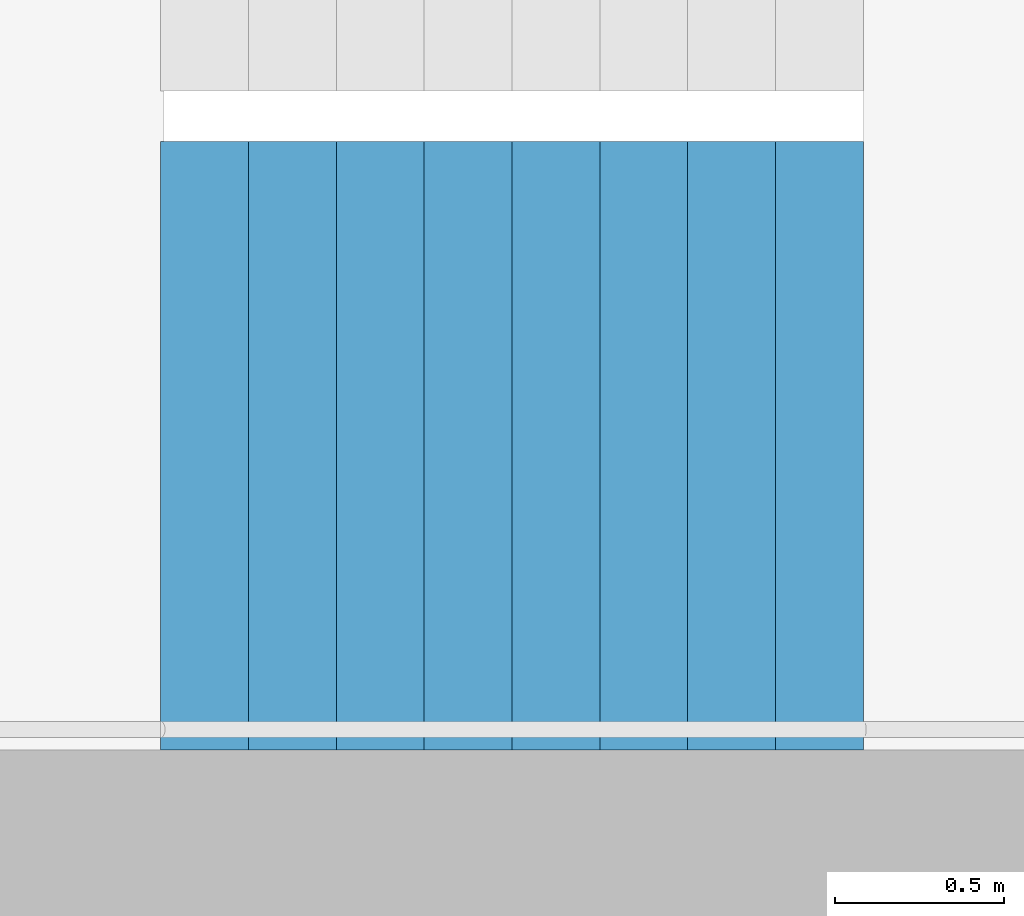
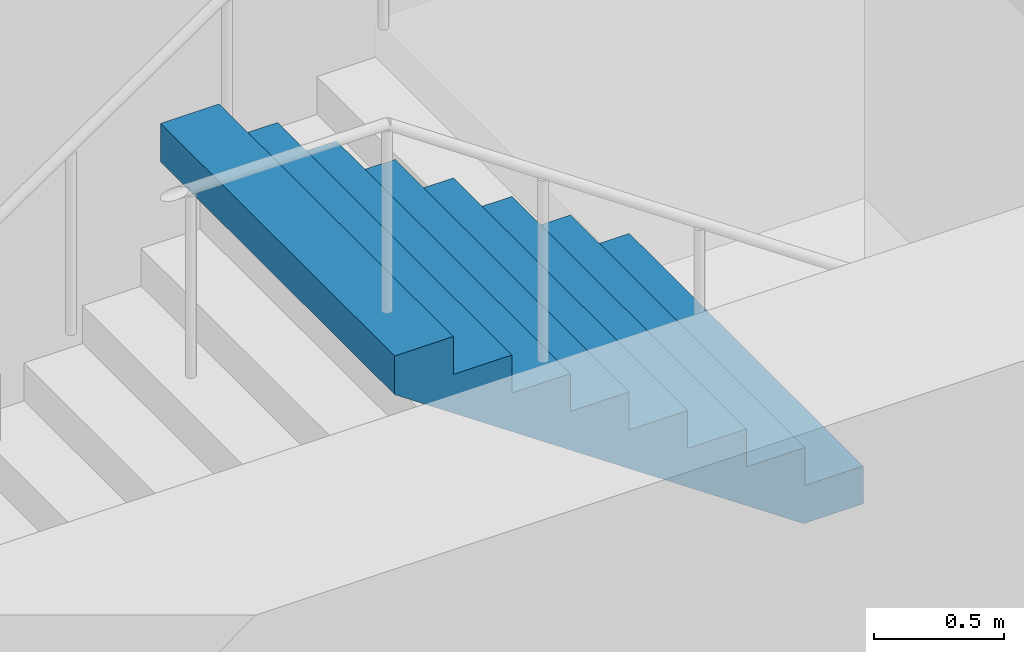
# One storey, part 20 of 28: 1 stair flight, 1 element without a shape of its own.
"""IFC4 building model written with IfcOpenShell, lengths in metres."""

from ifc_helpers import new_model, si_unit, direction, frame, origin, place, context, subcontext, project, spatial, triangles, material, type_object, element, aggregate, save


model = new_model("IFC4")

# Units and contexts
model_context = context("Model", 3, precision=1e-05, world=origin(), true_north=direction((0.0, 1.0)))
body_context = subcontext(model_context, "Body", "Model", "MODEL_VIEW")
ifc_project = project(units=[si_unit("LENGTHUNIT", "METRE"), si_unit("AREAUNIT", "SQUARE_METRE"), si_unit("VOLUMEUNIT", "CUBIC_METRE"), si_unit("PLANEANGLEUNIT", "RADIAN"), si_unit("MASSUNIT", "GRAM", prefix="KILO")], contexts=[model_context])

# Site, building, storey
site_placement = place(None, origin())
site = spatial("IfcSite", under=ifc_project, at=site_placement, CompositionType="ELEMENT")
building_placement = place(site_placement, origin())
building = spatial("IfcBuilding", under=site, at=building_placement, Name="Hakoniwa Tower and Hamabe Station Hall", CompositionType="ELEMENT")
storey_placement = place(building_placement, frame((0.0, 0.0, 193.0)))
storey = spatial("IfcBuildingStorey", under=building, at=storey_placement, Name="L54", CompositionType="ELEMENT", Elevation=193.0)

# Stair, stair flight
ifc_material_1 = material(Name="Concrete C40", Category="concrete")
stair_type = type_object("IfcStairType", Name="ESCAPE STAIR 1800", PredefinedType="HALF_TURN_STAIR", material=ifc_material_1)
stair_placement = place(storey_placement, origin())
stair = element("IfcStair", 1, at=stair_placement, inside=storey, type_object=stair_type, Name="Escape stair ST-4 L54", PredefinedType="HALF_TURN_STAIR")
ifc_material_2 = material(Name="Concrete C40", Category="concrete")
stair_flight_type = type_object("IfcStairFlightType", Name="STAIR FLIGHT 1800", PredefinedType="STRAIGHT", material=ifc_material_2)
stair_flight_placement = place(storey_placement, frame((25.47998046875, -6.60009765625, 1.60009765625), z_axis=(0.0, 0.0, 1.0), x_axis=(-1.0, 0.0, 0.0)))
stair_flight = element("IfcStairFlight", 2, at=stair_flight_placement, type_object=stair_flight_type, Name="ST-4 flight 2", NumberOfRisers=9, NumberOfTreads=8, PredefinedType="STRAIGHT", RiserHeight=0.177777778, TreadLength=0.26, context=body_context, shape_type="Tessellation", body=[
    triangles([(0.0, 0.89990234375, 0.0), (0.260009765625, 0.89990234375, 0.0), (0.265625, 0.89990234375, 0.0), (0.52001953125, 0.89990234375, 0.174072265625), (0.780029296875, 0.89990234375, 0.351806640625), (1.0400390625, 0.89990234375, 0.529541015625), (1.300048828125, 0.89990234375, 0.707275390625), (1.56005859375, 0.89990234375, 0.885009765625), (1.820068359375, 0.89990234375, 1.062744140625), (2.080078125, 0.89990234375, 1.24072265625), (2.080078125, 0.89990234375, 1.422119140625), (1.820068359375, 0.89990234375, 1.422119140625), (1.820068359375, 0.89990234375, 1.244384765625), (1.56005859375, 0.89990234375, 1.244384765625), (1.56005859375, 0.89990234375, 1.066650390625), (1.300048828125, 0.89990234375, 1.066650390625), (1.300048828125, 0.89990234375, 0.888916015625), (1.0400390625, 0.89990234375, 0.888916015625), (1.0400390625, 0.89990234375, 0.711181640625), (0.780029296875, 0.89990234375, 0.711181640625), (0.780029296875, 0.89990234375, 0.533447265625), (0.52001953125, 0.89990234375, 0.533447265625), (0.52001953125, 0.89990234375, 0.35546875), (0.265625, 0.89990234375, 0.35546875), (0.260009765625, 0.89990234375, 0.35546875), (0.260009765625, 0.89990234375, 0.177734375), (0.0, 0.89990234375, 0.177734375), (0.0, 0.06005859375, 0.0), (0.260009765625, 0.06005859375, 0.0), (0.265625, 0.06005859375, 0.0), (0.52001953125, 0.06005859375, 0.174072265625), (0.780029296875, 0.06005859375, 0.351806640625), (1.0400390625, 0.06005859375, 0.529541015625), (1.300048828125, 0.06005859375, 0.707275390625), (1.56005859375, 0.06005859375, 0.885009765625), (1.820068359375, 0.06005859375, 1.062744140625), (2.080078125, 0.06005859375, 1.24072265625), (2.080078125, 0.06005859375, 1.422119140625), (1.820068359375, 0.06005859375, 1.422119140625), (1.820068359375, 0.06005859375, 1.244384765625), (1.56005859375, 0.06005859375, 1.244384765625), (1.56005859375, 0.06005859375, 1.066650390625), (1.300048828125, 0.06005859375, 1.066650390625), (1.300048828125, 0.06005859375, 0.888916015625), (1.0400390625, 0.06005859375, 0.888916015625), (1.0400390625, 0.06005859375, 0.711181640625), (0.780029296875, 0.06005859375, 0.711181640625), (0.780029296875, 0.06005859375, 0.533447265625), (0.52001953125, 0.06005859375, 0.533447265625), (0.52001953125, 0.06005859375, 0.35546875), (0.265625, 0.06005859375, 0.35546875), (0.260009765625, 0.06005859375, 0.35546875), (0.260009765625, 0.06005859375, 0.177734375), (0.0, 0.06005859375, 0.177734375), (0.0, 0.04296875, 0.0), (0.260009765625, 0.04296875, 0.0), (0.265625, 0.04296875, 0.0), (0.52001953125, 0.04296875, 0.174072265625), (0.780029296875, 0.04296875, 0.351806640625), (1.0400390625, 0.04296875, 0.529541015625), (1.300048828125, 0.04296875, 0.707275390625), (1.56005859375, 0.04296875, 0.885009765625), (1.820068359375, 0.04296875, 1.062744140625), (2.080078125, 0.04296875, 1.24072265625), (2.080078125, 0.04296875, 1.422119140625), (1.820068359375, 0.04296875, 1.422119140625), (1.820068359375, 0.04296875, 1.244384765625), (1.56005859375, 0.04296875, 1.244384765625), (1.56005859375, 0.04296875, 1.066650390625), (1.300048828125, 0.04296875, 1.066650390625), (1.300048828125, 0.04296875, 0.888916015625), (1.0400390625, 0.04296875, 0.888916015625), (1.0400390625, 0.04296875, 0.711181640625), (0.780029296875, 0.04296875, 0.711181640625), (0.780029296875, 0.04296875, 0.533447265625), (0.52001953125, 0.04296875, 0.533447265625), (0.52001953125, 0.04296875, 0.35546875), (0.265625, 0.04296875, 0.35546875), (0.260009765625, 0.04296875, 0.35546875), (0.260009765625, 0.04296875, 0.177734375), (0.0, 0.04296875, 0.177734375), (0.0, 0.025634765625, 0.0), (0.260009765625, 0.025634765625, 0.0), (0.265625, 0.025634765625, 0.0), (0.52001953125, 0.025634765625, 0.174072265625), (0.780029296875, 0.025634765625, 0.351806640625), (1.0400390625, 0.025634765625, 0.529541015625), (1.300048828125, 0.025634765625, 0.707275390625), (1.56005859375, 0.025634765625, 0.885009765625), (1.820068359375, 0.025634765625, 1.062744140625), (2.080078125, 0.025634765625, 1.24072265625), (2.080078125, 0.025634765625, 1.422119140625), (1.820068359375, 0.025634765625, 1.422119140625), (1.820068359375, 0.025634765625, 1.244384765625), (1.56005859375, 0.025634765625, 1.244384765625), (1.56005859375, 0.025634765625, 1.066650390625), (1.300048828125, 0.025634765625, 1.066650390625), (1.300048828125, 0.025634765625, 0.888916015625), (1.0400390625, 0.025634765625, 0.888916015625), (1.0400390625, 0.025634765625, 0.711181640625), (0.780029296875, 0.025634765625, 0.711181640625), (0.780029296875, 0.025634765625, 0.533447265625), (0.52001953125, 0.025634765625, 0.533447265625), (0.52001953125, 0.025634765625, 0.35546875), (0.265625, 0.025634765625, 0.35546875), (0.260009765625, 0.025634765625, 0.35546875), (0.260009765625, 0.025634765625, 0.177734375), (0.0, 0.025634765625, 0.177734375), (0.0, 0.008544921875, 0.0), (0.260009765625, 0.008544921875, 0.0), (0.265625, 0.008544921875, 0.0), (0.52001953125, 0.008544921875, 0.174072265625), (0.780029296875, 0.008544921875, 0.351806640625), (1.0400390625, 0.008544921875, 0.529541015625), (1.300048828125, 0.008544921875, 0.707275390625), (1.56005859375, 0.008544921875, 0.885009765625), (1.820068359375, 0.008544921875, 1.062744140625), (2.080078125, 0.008544921875, 1.24072265625), (2.080078125, 0.008544921875, 1.422119140625), (1.820068359375, 0.008544921875, 1.422119140625), (1.820068359375, 0.008544921875, 1.244384765625), (1.56005859375, 0.008544921875, 1.244384765625), (1.56005859375, 0.008544921875, 1.066650390625), (1.300048828125, 0.008544921875, 1.066650390625), (1.300048828125, 0.008544921875, 0.888916015625), (1.0400390625, 0.008544921875, 0.888916015625), (1.0400390625, 0.008544921875, 0.711181640625), (0.780029296875, 0.008544921875, 0.711181640625), (0.780029296875, 0.008544921875, 0.533447265625), (0.52001953125, 0.008544921875, 0.533447265625), (0.52001953125, 0.008544921875, 0.35546875), (0.265625, 0.008544921875, 0.35546875), (0.260009765625, 0.008544921875, 0.35546875), (0.260009765625, 0.008544921875, 0.177734375), (0.0, 0.008544921875, 0.177734375), (0.0, -0.008544921875, 0.0), (0.260009765625, -0.008544921875, 0.0), (0.265625, -0.008544921875, 0.0), (0.52001953125, -0.008544921875, 0.174072265625), (0.780029296875, -0.008544921875, 0.351806640625), (1.0400390625, -0.008544921875, 0.529541015625), (1.300048828125, -0.008544921875, 0.707275390625), (1.56005859375, -0.008544921875, 0.885009765625), (1.820068359375, -0.008544921875, 1.062744140625), (2.080078125, -0.008544921875, 1.24072265625), (2.080078125, -0.008544921875, 1.422119140625), (1.820068359375, -0.008544921875, 1.422119140625), (1.820068359375, -0.008544921875, 1.244384765625), (1.56005859375, -0.008544921875, 1.244384765625), (1.56005859375, -0.008544921875, 1.066650390625), (1.300048828125, -0.008544921875, 1.066650390625), (1.300048828125, -0.008544921875, 0.888916015625), (1.0400390625, -0.008544921875, 0.888916015625), (1.0400390625, -0.008544921875, 0.711181640625), (0.780029296875, -0.008544921875, 0.711181640625), (0.780029296875, -0.008544921875, 0.533447265625), (0.52001953125, -0.008544921875, 0.533447265625), (0.52001953125, -0.008544921875, 0.35546875), (0.265625, -0.008544921875, 0.35546875), (0.260009765625, -0.008544921875, 0.35546875), (0.260009765625, -0.008544921875, 0.177734375), (0.0, -0.008544921875, 0.177734375), (0.0, -0.025634765625, 0.0), (0.260009765625, -0.025634765625, 0.0), (0.265625, -0.025634765625, 0.0), (0.52001953125, -0.025634765625, 0.174072265625), (0.780029296875, -0.025634765625, 0.351806640625), (1.0400390625, -0.025634765625, 0.529541015625), (1.300048828125, -0.025634765625, 0.707275390625), (1.56005859375, -0.025634765625, 0.885009765625), (1.820068359375, -0.025634765625, 1.062744140625), (2.080078125, -0.025634765625, 1.24072265625), (2.080078125, -0.025634765625, 1.422119140625), (1.820068359375, -0.025634765625, 1.422119140625), (1.820068359375, -0.025634765625, 1.244384765625), (1.56005859375, -0.025634765625, 1.244384765625), (1.56005859375, -0.025634765625, 1.066650390625), (1.300048828125, -0.025634765625, 1.066650390625), (1.300048828125, -0.025634765625, 0.888916015625), (1.0400390625, -0.025634765625, 0.888916015625), (1.0400390625, -0.025634765625, 0.711181640625), (0.780029296875, -0.025634765625, 0.711181640625), (0.780029296875, -0.025634765625, 0.533447265625), (0.52001953125, -0.025634765625, 0.533447265625), (0.52001953125, -0.025634765625, 0.35546875), (0.265625, -0.025634765625, 0.35546875), (0.260009765625, -0.025634765625, 0.35546875), (0.260009765625, -0.025634765625, 0.177734375), (0.0, -0.025634765625, 0.177734375), (0.0, -0.04296875, 0.0), (0.260009765625, -0.04296875, 0.0), (0.265625, -0.04296875, 0.0), (0.52001953125, -0.04296875, 0.174072265625), (0.780029296875, -0.04296875, 0.351806640625), (1.0400390625, -0.04296875, 0.529541015625), (1.300048828125, -0.04296875, 0.707275390625), (1.56005859375, -0.04296875, 0.885009765625), (1.820068359375, -0.04296875, 1.062744140625), (2.080078125, -0.04296875, 1.24072265625), (2.080078125, -0.04296875, 1.422119140625), (1.820068359375, -0.04296875, 1.422119140625), (1.820068359375, -0.04296875, 1.244384765625), (1.56005859375, -0.04296875, 1.244384765625), (1.56005859375, -0.04296875, 1.066650390625), (1.300048828125, -0.04296875, 1.066650390625), (1.300048828125, -0.04296875, 0.888916015625), (1.0400390625, -0.04296875, 0.888916015625), (1.0400390625, -0.04296875, 0.711181640625), (0.780029296875, -0.04296875, 0.711181640625), (0.780029296875, -0.04296875, 0.533447265625), (0.52001953125, -0.04296875, 0.533447265625), (0.52001953125, -0.04296875, 0.35546875), (0.265625, -0.04296875, 0.35546875), (0.260009765625, -0.04296875, 0.35546875), (0.260009765625, -0.04296875, 0.177734375), (0.0, -0.04296875, 0.177734375), (0.0, -0.06005859375, 0.0), (0.260009765625, -0.06005859375, 0.0), (0.265625, -0.06005859375, 0.0), (0.52001953125, -0.06005859375, 0.174072265625), (0.780029296875, -0.06005859375, 0.351806640625), (1.0400390625, -0.06005859375, 0.529541015625), (1.300048828125, -0.06005859375, 0.707275390625), (1.56005859375, -0.06005859375, 0.885009765625), (1.820068359375, -0.06005859375, 1.062744140625), (2.080078125, -0.06005859375, 1.24072265625), (2.080078125, -0.06005859375, 1.422119140625), (1.820068359375, -0.06005859375, 1.422119140625), (1.820068359375, -0.06005859375, 1.244384765625), (1.56005859375, -0.06005859375, 1.244384765625), (1.56005859375, -0.06005859375, 1.066650390625), (1.300048828125, -0.06005859375, 1.066650390625), (1.300048828125, -0.06005859375, 0.888916015625), (1.0400390625, -0.06005859375, 0.888916015625), (1.0400390625, -0.06005859375, 0.711181640625), (0.780029296875, -0.06005859375, 0.711181640625), (0.780029296875, -0.06005859375, 0.533447265625), (0.52001953125, -0.06005859375, 0.533447265625), (0.52001953125, -0.06005859375, 0.35546875), (0.265625, -0.06005859375, 0.35546875), (0.260009765625, -0.06005859375, 0.35546875), (0.260009765625, -0.06005859375, 0.177734375), (0.0, -0.06005859375, 0.177734375), (0.0, -0.89990234375, 0.0), (0.260009765625, -0.89990234375, 0.0), (0.265625, -0.89990234375, 0.0), (0.52001953125, -0.89990234375, 0.174072265625), (0.780029296875, -0.89990234375, 0.351806640625), (1.0400390625, -0.89990234375, 0.529541015625), (1.300048828125, -0.89990234375, 0.707275390625), (1.56005859375, -0.89990234375, 0.885009765625), (1.820068359375, -0.89990234375, 1.062744140625), (2.080078125, -0.89990234375, 1.24072265625), (2.080078125, -0.89990234375, 1.422119140625), (1.820068359375, -0.89990234375, 1.422119140625), (1.820068359375, -0.89990234375, 1.244384765625), (1.56005859375, -0.89990234375, 1.244384765625), (1.56005859375, -0.89990234375, 1.066650390625), (1.300048828125, -0.89990234375, 1.066650390625), (1.300048828125, -0.89990234375, 0.888916015625), (1.0400390625, -0.89990234375, 0.888916015625), (1.0400390625, -0.89990234375, 0.711181640625), (0.780029296875, -0.89990234375, 0.711181640625), (0.780029296875, -0.89990234375, 0.533447265625), (0.52001953125, -0.89990234375, 0.533447265625), (0.52001953125, -0.89990234375, 0.35546875), (0.265625, -0.89990234375, 0.35546875), (0.260009765625, -0.89990234375, 0.35546875), (0.260009765625, -0.89990234375, 0.177734375), (0.0, -0.89990234375, 0.177734375)], [[2, 27, 26], [245, 269, 270], [2, 1, 27], [245, 270, 244], [3, 25, 24], [246, 267, 268], [3, 26, 25], [246, 268, 269], [3, 2, 26], [246, 269, 245], [4, 24, 23], [247, 266, 267], [4, 3, 24], [247, 267, 246], [5, 22, 21], [248, 264, 265], [5, 23, 22], [248, 265, 266], [5, 4, 23], [248, 266, 247], [6, 20, 19], [249, 262, 263], [6, 21, 20], [249, 263, 264], [6, 5, 21], [249, 264, 248], [7, 18, 17], [250, 260, 261], [7, 19, 18], [250, 261, 262], [7, 6, 19], [250, 262, 249], [8, 16, 15], [251, 258, 259], [8, 17, 16], [251, 259, 260], [8, 7, 17], [251, 260, 250], [9, 14, 13], [252, 256, 257], [9, 15, 14], [252, 257, 258], [9, 8, 15], [252, 258, 251], [10, 12, 11], [253, 254, 255], [10, 13, 12], [253, 255, 256], [10, 9, 13], [253, 256, 252], [1, 2, 29], [1, 29, 28], [28, 29, 56], [28, 56, 55], [55, 56, 83], [55, 83, 82], [82, 83, 110], [82, 110, 109], [109, 110, 137], [109, 137, 136], [136, 137, 164], [136, 164, 163], [163, 164, 191], [163, 191, 190], [190, 191, 218], [190, 218, 217], [217, 218, 245], [217, 245, 244], [2, 3, 30], [2, 30, 29], [29, 30, 57], [29, 57, 56], [56, 57, 84], [56, 84, 83], [83, 84, 111], [83, 111, 110], [110, 111, 138], [110, 138, 137], [137, 138, 165], [137, 165, 164], [164, 165, 192], [164, 192, 191], [191, 192, 219], [191, 219, 218], [218, 219, 246], [218, 246, 245], [3, 4, 31], [3, 31, 30], [30, 31, 58], [30, 58, 57], [57, 58, 85], [57, 85, 84], [84, 85, 112], [84, 112, 111], [111, 112, 139], [111, 139, 138], [138, 139, 166], [138, 166, 165], [165, 166, 193], [165, 193, 192], [192, 193, 220], [192, 220, 219], [219, 220, 247], [219, 247, 246], [4, 5, 32], [4, 32, 31], [31, 32, 59], [31, 59, 58], [58, 59, 86], [58, 86, 85], [85, 86, 113], [85, 113, 112], [112, 113, 140], [112, 140, 139], [139, 140, 167], [139, 167, 166], [166, 167, 194], [166, 194, 193], [193, 194, 221], [193, 221, 220], [220, 221, 248], [220, 248, 247], [5, 6, 33], [5, 33, 32], [32, 33, 60], [32, 60, 59], [59, 60, 87], [59, 87, 86], [86, 87, 114], [86, 114, 113], [113, 114, 141], [113, 141, 140], [140, 141, 168], [140, 168, 167], [167, 168, 195], [167, 195, 194], [194, 195, 222], [194, 222, 221], [221, 222, 249], [221, 249, 248], [6, 7, 34], [6, 34, 33], [33, 34, 61], [33, 61, 60], [60, 61, 88], [60, 88, 87], [87, 88, 115], [87, 115, 114], [114, 115, 142], [114, 142, 141], [141, 142, 169], [141, 169, 168], [168, 169, 196], [168, 196, 195], [195, 196, 223], [195, 223, 222], [222, 223, 250], [222, 250, 249], [7, 8, 35], [7, 35, 34], [34, 35, 62], [34, 62, 61], [61, 62, 89], [61, 89, 88], [88, 89, 116], [88, 116, 115], [115, 116, 143], [115, 143, 142], [142, 143, 170], [142, 170, 169], [169, 170, 197], [169, 197, 196], [196, 197, 224], [196, 224, 223], [223, 224, 251], [223, 251, 250], [8, 9, 36], [8, 36, 35], [35, 36, 63], [35, 63, 62], [62, 63, 90], [62, 90, 89], [89, 90, 117], [89, 117, 116], [116, 117, 144], [116, 144, 143], [143, 144, 171], [143, 171, 170], [170, 171, 198], [170, 198, 197], [197, 198, 225], [197, 225, 224], [224, 225, 252], [224, 252, 251], [9, 10, 37], [9, 37, 36], [36, 37, 64], [36, 64, 63], [63, 64, 91], [63, 91, 90], [90, 91, 118], [90, 118, 117], [117, 118, 145], [117, 145, 144], [144, 145, 172], [144, 172, 171], [171, 172, 199], [171, 199, 198], [198, 199, 226], [198, 226, 225], [225, 226, 253], [225, 253, 252], [10, 11, 38], [10, 38, 37], [37, 38, 65], [37, 65, 64], [64, 65, 92], [64, 92, 91], [91, 92, 119], [91, 119, 118], [118, 119, 146], [118, 146, 145], [145, 146, 173], [145, 173, 172], [172, 173, 200], [172, 200, 199], [199, 200, 227], [199, 227, 226], [226, 227, 254], [226, 254, 253], [11, 12, 39], [11, 39, 38], [38, 39, 66], [38, 66, 65], [65, 66, 93], [65, 93, 92], [92, 93, 120], [92, 120, 119], [119, 120, 147], [119, 147, 146], [146, 147, 174], [146, 174, 173], [173, 174, 201], [173, 201, 200], [200, 201, 228], [200, 228, 227], [227, 228, 255], [227, 255, 254], [12, 13, 40], [12, 40, 39], [39, 40, 67], [39, 67, 66], [66, 67, 94], [66, 94, 93], [93, 94, 121], [93, 121, 120], [120, 121, 148], [120, 148, 147], [147, 148, 175], [147, 175, 174], [174, 175, 202], [174, 202, 201], [201, 202, 229], [201, 229, 228], [228, 229, 256], [228, 256, 255], [13, 14, 41], [13, 41, 40], [40, 41, 68], [40, 68, 67], [67, 68, 95], [67, 95, 94], [94, 95, 122], [94, 122, 121], [121, 122, 149], [121, 149, 148], [148, 149, 176], [148, 176, 175], [175, 176, 203], [175, 203, 202], [202, 203, 230], [202, 230, 229], [229, 230, 257], [229, 257, 256], [14, 15, 42], [14, 42, 41], [41, 42, 69], [41, 69, 68], [68, 69, 96], [68, 96, 95], [95, 96, 123], [95, 123, 122], [122, 123, 150], [122, 150, 149], [149, 150, 177], [149, 177, 176], [176, 177, 204], [176, 204, 203], [203, 204, 231], [203, 231, 230], [230, 231, 258], [230, 258, 257], [15, 16, 43], [15, 43, 42], [42, 43, 70], [42, 70, 69], [69, 70, 97], [69, 97, 96], [96, 97, 124], [96, 124, 123], [123, 124, 151], [123, 151, 150], [150, 151, 178], [150, 178, 177], [177, 178, 205], [177, 205, 204], [204, 205, 232], [204, 232, 231], [231, 232, 259], [231, 259, 258], [16, 17, 44], [16, 44, 43], [43, 44, 71], [43, 71, 70], [70, 71, 98], [70, 98, 97], [97, 98, 125], [97, 125, 124], [124, 125, 152], [124, 152, 151], [151, 152, 179], [151, 179, 178], [178, 179, 206], [178, 206, 205], [205, 206, 233], [205, 233, 232], [232, 233, 260], [232, 260, 259], [17, 18, 45], [17, 45, 44], [44, 45, 72], [44, 72, 71], [71, 72, 99], [71, 99, 98], [98, 99, 126], [98, 126, 125], [125, 126, 153], [125, 153, 152], [152, 153, 180], [152, 180, 179], [179, 180, 207], [179, 207, 206], [206, 207, 234], [206, 234, 233], [233, 234, 261], [233, 261, 260], [18, 19, 46], [18, 46, 45], [45, 46, 73], [45, 73, 72], [72, 73, 100], [72, 100, 99], [99, 100, 127], [99, 127, 126], [126, 127, 154], [126, 154, 153], [153, 154, 181], [153, 181, 180], [180, 181, 208], [180, 208, 207], [207, 208, 235], [207, 235, 234], [234, 235, 262], [234, 262, 261], [19, 20, 47], [19, 47, 46], [46, 47, 74], [46, 74, 73], [73, 74, 101], [73, 101, 100], [100, 101, 128], [100, 128, 127], [127, 128, 155], [127, 155, 154], [154, 155, 182], [154, 182, 181], [181, 182, 209], [181, 209, 208], [208, 209, 236], [208, 236, 235], [235, 236, 263], [235, 263, 262], [20, 21, 48], [20, 48, 47], [47, 48, 75], [47, 75, 74], [74, 75, 102], [74, 102, 101], [101, 102, 129], [101, 129, 128], [128, 129, 156], [128, 156, 155], [155, 156, 183], [155, 183, 182], [182, 183, 210], [182, 210, 209], [209, 210, 237], [209, 237, 236], [236, 237, 264], [236, 264, 263], [21, 22, 49], [21, 49, 48], [48, 49, 76], [48, 76, 75], [75, 76, 103], [75, 103, 102], [102, 103, 130], [102, 130, 129], [129, 130, 157], [129, 157, 156], [156, 157, 184], [156, 184, 183], [183, 184, 211], [183, 211, 210], [210, 211, 238], [210, 238, 237], [237, 238, 265], [237, 265, 264], [22, 23, 50], [22, 50, 49], [49, 50, 77], [49, 77, 76], [76, 77, 104], [76, 104, 103], [103, 104, 131], [103, 131, 130], [130, 131, 158], [130, 158, 157], [157, 158, 185], [157, 185, 184], [184, 185, 212], [184, 212, 211], [211, 212, 239], [211, 239, 238], [238, 239, 266], [238, 266, 265], [23, 24, 51], [23, 51, 50], [50, 51, 78], [50, 78, 77], [77, 78, 105], [77, 105, 104], [104, 105, 132], [104, 132, 131], [131, 132, 159], [131, 159, 158], [158, 159, 186], [158, 186, 185], [185, 186, 213], [185, 213, 212], [212, 213, 240], [212, 240, 239], [239, 240, 267], [239, 267, 266], [24, 25, 52], [24, 52, 51], [51, 52, 79], [51, 79, 78], [78, 79, 106], [78, 106, 105], [105, 106, 133], [105, 133, 132], [132, 133, 160], [132, 160, 159], [159, 160, 187], [159, 187, 186], [186, 187, 214], [186, 214, 213], [213, 214, 241], [213, 241, 240], [240, 241, 268], [240, 268, 267], [25, 26, 53], [25, 53, 52], [52, 53, 80], [52, 80, 79], [79, 80, 107], [79, 107, 106], [106, 107, 134], [106, 134, 133], [133, 134, 161], [133, 161, 160], [160, 161, 188], [160, 188, 187], [187, 188, 215], [187, 215, 214], [214, 215, 242], [214, 242, 241], [241, 242, 269], [241, 269, 268], [26, 27, 54], [26, 54, 53], [53, 54, 81], [53, 81, 80], [80, 81, 108], [80, 108, 107], [107, 108, 135], [107, 135, 134], [134, 135, 162], [134, 162, 161], [161, 162, 189], [161, 189, 188], [188, 189, 216], [188, 216, 215], [215, 216, 243], [215, 243, 242], [242, 243, 270], [242, 270, 269], [27, 1, 28], [27, 28, 54], [54, 28, 55], [54, 55, 81], [81, 55, 82], [81, 82, 108], [108, 82, 109], [108, 109, 135], [135, 109, 136], [135, 136, 162], [162, 136, 163], [162, 163, 189], [189, 163, 190], [189, 190, 216], [216, 190, 217], [216, 217, 243], [243, 217, 244], [243, 244, 270]], closed=True),
])
aggregate(stair, [stair_flight])

save(model, "model.ifc")
